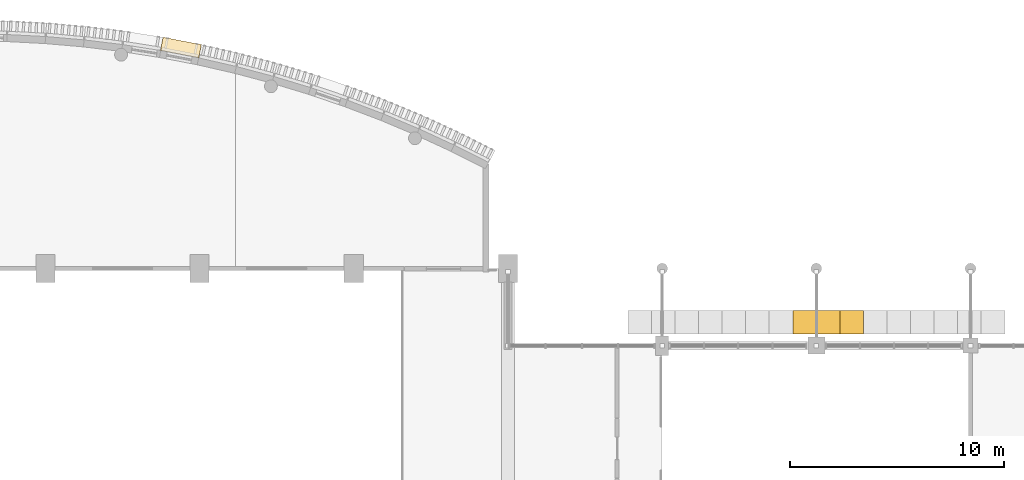
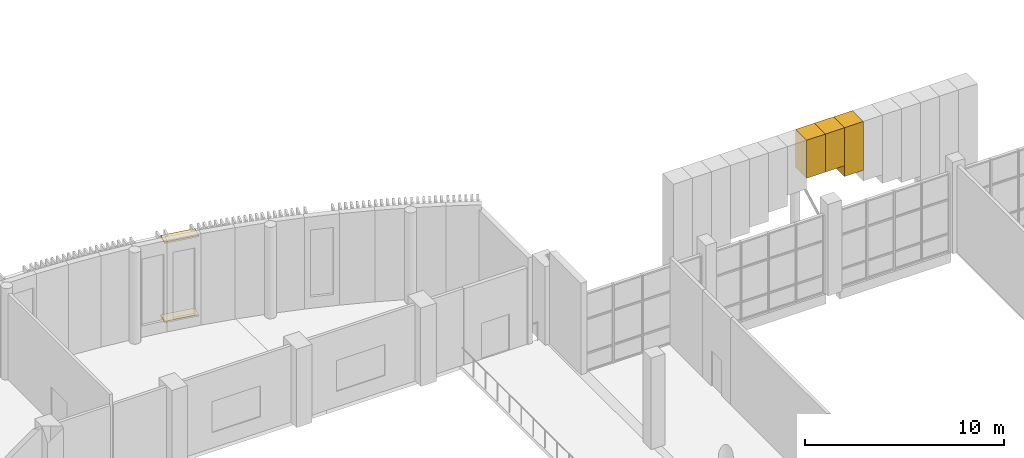
# One storey, part 76 of 80: 5 coverings.
"""IFC4 building model written with IfcOpenShell, lengths in metres."""

import ifcopenshell
import ifcopenshell.guid

model = None  # the IFC model being written
_history = None  # IfcOwnerHistory: only IFC2X3 demands one
_inside = {}  # id of a spatial element -> (the spatial element, [elements in it])
_under = {}  # id of a project, library or spatial element -> (it, [spatial elements below it])
_declared = {}  # id of a project -> (the project, [libraries it declares])
_typed = {}  # id of a type object -> (the type object, [elements of that type])
_made_of = {}  # id of a material, layer set ... -> (it, [elements and type objects made of it])


def new_model(schema):
    """Start an empty IFC model of exactly this schema.

    Asked for "IFC4X3", IfcOpenShell would pick the latest addendum, in which some entities
    have other attributes; the version numbers below select the first issue.
    IFC2X3 requires an IfcOwnerHistory on every rooted entity: one is made here for all.
    """
    global model, _history
    if schema == "IFC4X3":
        model = ifcopenshell.file(schema_version=(4, 3, 0, 0))
    else:
        model = ifcopenshell.file(schema=schema)
    _inside.clear()
    _under.clear()
    _declared.clear()
    _typed.clear()
    _made_of.clear()
    _history = None
    if model.schema == "IFC2X3":
        org = make("IfcOrganization", Name="unknown")
        user = make(
            "IfcPersonAndOrganization",
            ThePerson=make("IfcPerson", FamilyName="unknown"),
            TheOrganization=org,
        )
        app = make(
            "IfcApplication",
            ApplicationDeveloper=org,
            Version="unknown",
            ApplicationFullName="unknown",
            ApplicationIdentifier="unknown",
        )
        _history = make(
            "IfcOwnerHistory",
            OwningUser=user,
            OwningApplication=app,
            ChangeAction="ADDED",
            CreationDate=0,
        )
    return model


def make(cls, **values):
    """One entity of the class cls with the attributes given. An attribute that is None is left unset."""
    return model.create_entity(
        cls, **{name: value for name, value in values.items() if value is not None}
    )


def rooted(cls, **values):
    """An entity with a GlobalId (a new one), such as an element, a storey or a relation."""
    return make(cls, GlobalId=ifcopenshell.guid.new(), OwnerHistory=_history, **values)


def si_unit(unit_type, name, prefix=None):
    """IfcSIUnit, for example si_unit("LENGTHUNIT", "METRE", prefix="MILLI")."""
    return make("IfcSIUnit", UnitType=unit_type, Prefix=prefix, Name=name)


def assignment(units):
    """IfcUnitAssignment: the units of a project."""
    return None if units is None else make("IfcUnitAssignment", Units=units)


def point(xyz):
    """IfcCartesianPoint."""
    return None if xyz is None else make("IfcCartesianPoint", Coordinates=xyz)


def direction(xyz):
    """IfcDirection."""
    return None if xyz is None else make("IfcDirection", DirectionRatios=xyz)


def frame(location, z_axis=None, x_axis=None):
    """IfcAxis2Placement3D, a coordinate frame: its origin and axes. An axis left out is left unset."""
    return make(
        "IfcAxis2Placement3D",
        Location=point(location),
        Axis=direction(z_axis),
        RefDirection=direction(x_axis),
    )


def frame_2d(location, x_axis=None):
    """IfcAxis2Placement2D, a coordinate frame in the plane: its origin and x axis."""
    return make(
        "IfcAxis2Placement2D", Location=point(location), RefDirection=direction(x_axis)
    )


def origin():
    """The frame at (0, 0, 0) with its axes left unset."""
    return frame((0.0, 0.0, 0.0))


def origin_2d():
    """The frame at (0, 0) in the plane with its x axis left unset."""
    return frame_2d((0.0, 0.0))


def place(relative_to, where):
    """IfcLocalPlacement: puts the frame where relative to a parent placement (None: the world)."""
    return make(
        "IfcLocalPlacement", PlacementRelTo=relative_to, RelativePlacement=where
    )


def context(
    kind, dimensions, precision=None, world=None, true_north=None, identifier=None
):
    """IfcGeometricRepresentationContext, for example the 3D "Model" context."""
    return make(
        "IfcGeometricRepresentationContext",
        ContextIdentifier=identifier,
        ContextType=kind,
        CoordinateSpaceDimension=dimensions,
        Precision=precision,
        WorldCoordinateSystem=world,
        TrueNorth=true_north,
    )


def subcontext(parent, identifier, kind, view, scale=None):
    """IfcGeometricRepresentationSubContext, for example "Body" below "Model"."""
    return make(
        "IfcGeometricRepresentationSubContext",
        ContextIdentifier=identifier,
        ContextType=kind,
        ParentContext=parent,
        TargetScale=scale,
        TargetView=view,
    )


def project(units=None, contexts=None):
    """IfcProject with its units and contexts."""
    return rooted(
        "IfcProject",
        Name="project",
        RepresentationContexts=contexts,
        UnitsInContext=assignment(units),
    )


def spatial(cls, under=None, at=None, **own):
    """A site, building, storey or space (cls), placed at a placement, below another one or the project."""
    s = rooted(cls, ObjectPlacement=at, **own)
    if under is not None:
        _under.setdefault(under.id(), (under, []))[1].append(s)
    return s


def profile(cls, at=None, kind="AREA", **sizes):
    """A parametric profile (cls). Its sizes go by their IFC names, for example OverallWidth=200.0."""
    return make(cls, ProfileType=kind, Position=at, **sizes)


def rectangle(**sizes):
    """IfcRectangleProfileDef."""
    return profile("IfcRectangleProfileDef", **sizes)


def extrude(swept, where, along, depth):
    """IfcExtrudedAreaSolid: the profile swept, set in the frame where, extruded along a direction by depth."""
    return make(
        "IfcExtrudedAreaSolid",
        SweptArea=swept,
        Position=where,
        ExtrudedDirection=direction(along),
        Depth=depth,
    )


def shape(context_of_items, identifier, shape_type, items):
    """IfcShapeRepresentation: the items that make up one representation, for example the "Body"."""
    return make(
        "IfcShapeRepresentation",
        ContextOfItems=context_of_items,
        RepresentationIdentifier=identifier,
        RepresentationType=shape_type,
        Items=items,
    )


def material(Name=None, Category=None):
    """IfcMaterial."""
    return make("IfcMaterial", Name=Name, Category=Category)


def layer(
    of_material, thickness, ventilated=None, Name=None, Category=None, Priority=None
):
    """IfcMaterialLayer: one layer of a wall or slab, of a material (None: an air gap)."""
    return make(
        "IfcMaterialLayer",
        Material=of_material,
        LayerThickness=thickness,
        IsVentilated=ventilated,
        Name=Name,
        Category=Category,
        Priority=Priority,
    )


def layer_set(layers, Name=None):
    """IfcMaterialLayerSet."""
    return make("IfcMaterialLayerSet", MaterialLayers=layers, LayerSetName=Name)


def made_of(thing, what):
    """Note that an element or type object is made of a material, layer set ...; save() writes the relation."""
    if what is not None:
        _made_of.setdefault(what.id(), (what, []))[1].append(thing)
    return thing


def type_object(cls, material=None, **own):
    """A type object (cls), such as IfcWallType, which elements share."""
    return made_of(rooted(cls, **own), material)


def element(
    cls,
    number,
    at=None,
    inside=None,
    cuts=None,
    type_object=None,
    material=None,
    context=None,
    identifier="Body",
    shape_type=None,
    held_by="IfcProductDefinitionShape",
    body=None,
    shapes=None,
    **own,
):
    """One element of the class cls, such as IfcWall. Its Tag is "e" and its number.

    at: its placement. inside: the storey or other place that contains it. cuts: it is an
    opening in that element (IfcRelVoidsElement). A single representation is given by context,
    identifier, shape_type and body (its items); several are given by shapes. held_by: the class
    of the entity that holds the representations. save() writes the other relations.
    """
    e = rooted(cls, Tag="e%d" % number, ObjectPlacement=at, **own)
    if body is not None:
        shapes = [shape(context, identifier, shape_type, body)]
    if shapes is not None:
        e.Representation = make(held_by, Representations=shapes)
    if inside is not None:
        _inside.setdefault(inside.id(), (inside, []))[1].append(e)
    if cuts is not None:
        rooted(
            "IfcRelVoidsElement", RelatingBuildingElement=cuts, RelatedOpeningElement=e
        )
    if type_object is not None:
        _typed.setdefault(type_object.id(), (type_object, []))[1].append(e)
    return made_of(e, material)


def aggregate(whole, parts):
    """IfcRelAggregates: a whole, such as a stair, and the parts it consists of."""
    return rooted("IfcRelAggregates", RelatingObject=whole, RelatedObjects=parts)


def save(model, path):
    """Write the relations noted so far, then the file.

    IfcRelAggregates (storeys below a building ...), IfcRelContainedInSpatialStructure (elements
    in a storey), IfcRelDefinesByType, IfcRelAssociatesMaterial and IfcRelDeclares: one each for
    every whole, place, type object, material and project.
    """
    for whole, parts in _under.values():
        aggregate(whole, parts)
    for where, things in _inside.values():
        rooted(
            "IfcRelContainedInSpatialStructure",
            RelatedElements=things,
            RelatingStructure=where,
        )
    for kind, things in _typed.values():
        rooted("IfcRelDefinesByType", RelatedObjects=things, RelatingType=kind)
    for what, things in _made_of.values():
        rooted("IfcRelAssociatesMaterial", RelatedObjects=things, RelatingMaterial=what)
    for by, libraries in _declared.values():
        rooted("IfcRelDeclares", RelatingContext=by, RelatedDefinitions=libraries)
    model.write(path)


model = new_model("IFC4")

# Units and contexts
model_context = context("Model", 3, precision=1e-05, world=origin(), true_north=direction((0.0, 1.0)))
body_context = subcontext(model_context, "Body", "Model", "MODEL_VIEW")
ifc_project = project(units=[si_unit("LENGTHUNIT", "METRE"), si_unit("AREAUNIT", "SQUARE_METRE"), si_unit("VOLUMEUNIT", "CUBIC_METRE"), si_unit("PLANEANGLEUNIT", "RADIAN"), si_unit("MASSUNIT", "GRAM", prefix="KILO")], contexts=[model_context])

# Site, building, storey
site_placement = place(None, origin())
site = spatial("IfcSite", under=ifc_project, at=site_placement, CompositionType="ELEMENT")
building_placement = place(site_placement, origin())
building = spatial("IfcBuilding", under=site, at=building_placement, Name="Sardonyx Promenade Sports Hall", CompositionType="ELEMENT")
storey_placement = place(building_placement, frame((0.0, 0.0, 5.60009765625)))
storey = spatial("IfcBuildingStorey", under=building, at=storey_placement, Name="L01", CompositionType="ELEMENT", Elevation=5.60009765625)

# Coverings
ifc_material_1 = material(Name="Glulam GL28h", Category="wood")
ifc_layer_1 = layer(ifc_material_1, 0.110107421875)
ifc_layer_set_1 = layer_set([ifc_layer_1], Name="Cov_Louvre_GL28h")
covering_type_1 = type_object("IfcCoveringType", Name="Cov_Louvre_GL28h", PredefinedType="MOLDING", material=ifc_layer_set_1)
for number, where, z_axis, x_axis, name in (
    (1, (63.93017578125, 114.72412109375, 0.31982421875), (0.0, 0.0, 1.0), (0.981929658139, -0.18924625879, 0.0), "Bowed louvre carrier rail L01 CH20 #1"),
    (2, (63.93017578125, 114.72412109375, 5.179931640625), (0.0, 0.0, 1.0), (0.981929658139, -0.18924625879, 0.0), "Bowed louvre carrier rail L01 CH20 #2"),
):
    element("IfcCovering", number, at=place(storey_placement, frame(where, z_axis=z_axis, x_axis=x_axis)), inside=storey, type_object=covering_type_1, Name=name, PredefinedType="MOLDING", context=body_context, shape_type="SweptSolid", body=[
        extrude(rectangle(XDim=1.820068359375, YDim=0.6201171875, at=origin_2d()), origin(), (0.0, 0.0, 1.0), 0.10009765625),
    ])
ifc_material_2 = material(Name="Carved Cape red sandstone ashlar", Category="masonry")
ifc_layer_2 = layer(ifc_material_2, 0.239990234375)
ifc_layer_set_2 = layer_set([ifc_layer_2], Name="Cov_Mughal_Arch")
covering_type_2 = type_object("IfcCoveringType", Name="Cov_Mughal_Arch", PredefinedType="CLADDING", material=ifc_layer_set_2)
covering_1_placement = place(storey_placement, frame((92.5, 101.89990234375, 6.87109375), z_axis=(0.0, 0.0, 1.0), x_axis=(1.0, 0.0, 0.0)))
element("IfcCovering", 3, at=covering_1_placement, inside=storey, type_object=covering_type_2, Name="Mughal pointed-arch spandrel L01 cov:pishtaq:iwan #8", PredefinedType="CLADDING", context=body_context, shape_type="SweptSolid", body=[
    extrude(rectangle(XDim=1.10009765625, YDim=1.10009765625, at=frame_2d((0.550048828125, 0.0))), origin(), (0.0, 0.0, 1.0), 2.328857421875),
])
covering_2_placement = place(storey_placement, frame((93.60009765625, 101.89990234375, 6.87109375), z_axis=(0.0, 0.0, 1.0), x_axis=(1.0, 0.0, 0.0)))
element("IfcCovering", 4, at=covering_2_placement, inside=storey, type_object=covering_type_2, Name="Mughal pointed-arch spandrel L01 cov:pishtaq:iwan #9", PredefinedType="CLADDING", context=body_context, shape_type="SweptSolid", body=[
    extrude(rectangle(XDim=1.099853515625, YDim=1.10009765625, at=frame_2d((0.5498046875, 0.0))), origin(), (0.0, 0.0, 1.0), 2.328857421875),
])
covering_3_placement = place(storey_placement, frame((94.699951171875, 101.89990234375, 6.213134765625), z_axis=(0.0, 0.0, 1.0), x_axis=(1.0, 0.0, 0.0)))
element("IfcCovering", 5, at=covering_3_placement, inside=storey, type_object=covering_type_2, Name="Mughal pointed-arch spandrel L01 cov:pishtaq:iwan #10", PredefinedType="CLADDING", context=body_context, shape_type="SweptSolid", body=[
    extrude(rectangle(XDim=1.10009765625, YDim=1.10009765625, at=frame_2d((0.550048828125, 0.0))), origin(), (0.0, 0.0, 1.0), 2.98681640625),
])

save(model, "model.ifc")
